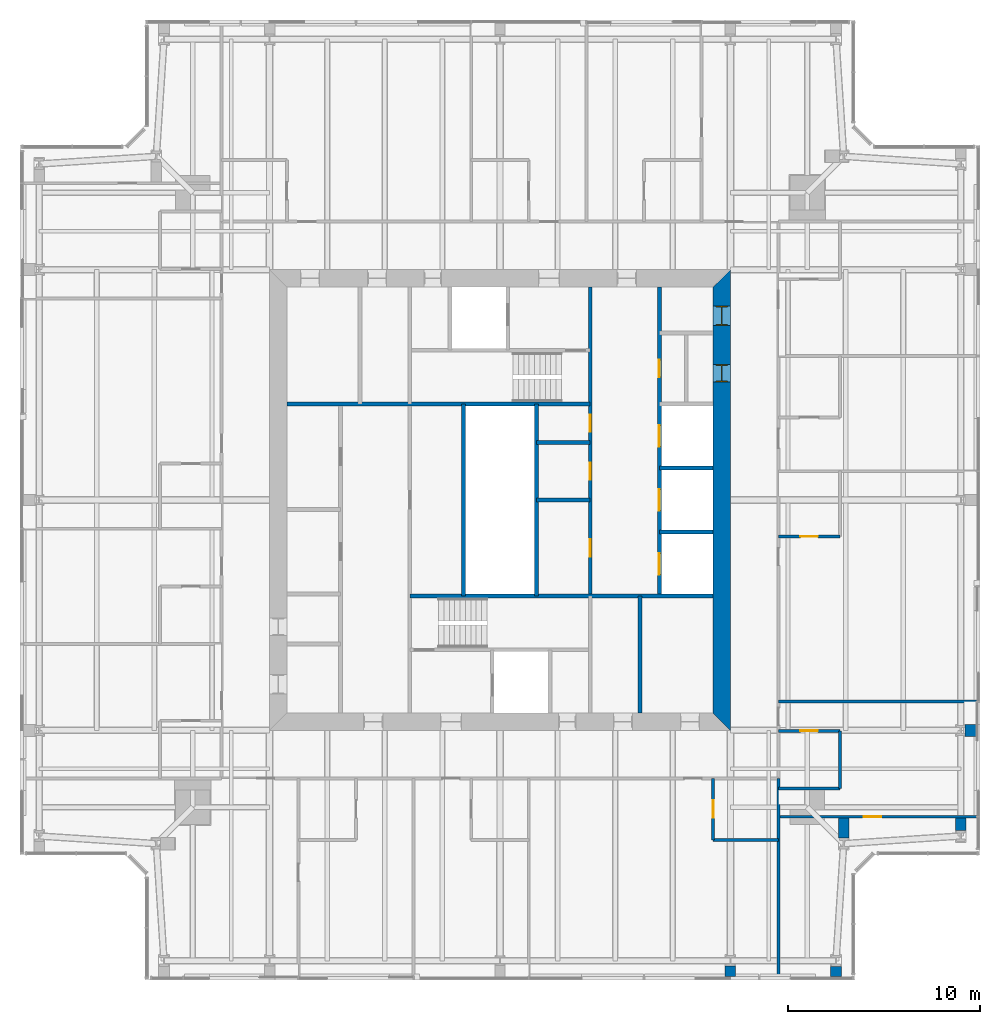
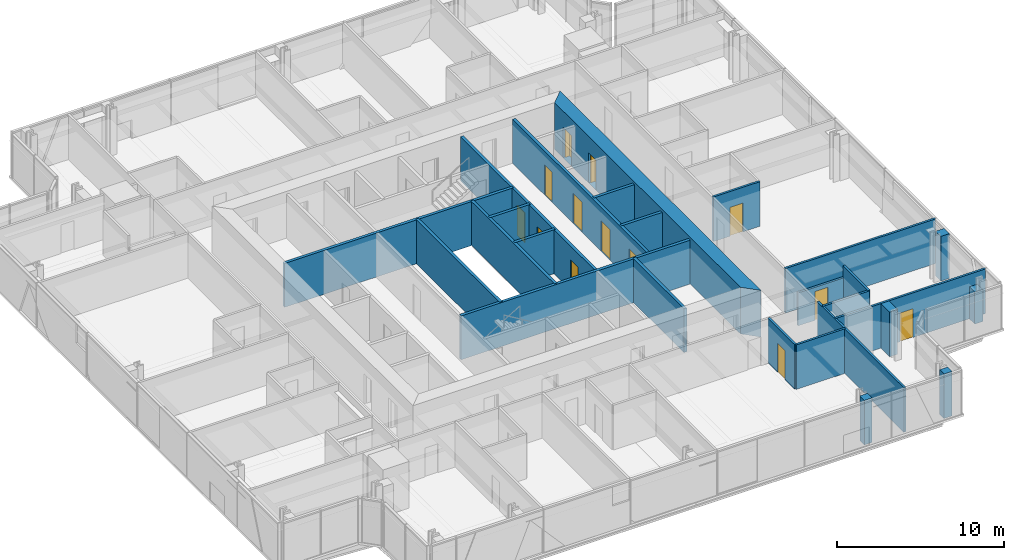
# One storey, part 13 of 18: 26 walls, 13 doors, 13 openings.
"""IFC4 building model written with IfcOpenShell, lengths in metres."""

from ifc_helpers import new_model, si_unit, direction, frame, frame_2d, origin, place, context, subcontext, project, spatial, polyline, rectangle, outline, extrude, material, layer, layer_set, type_object, element, fill, save


model = new_model("IFC4")

# Units and contexts
model_context = context("Model", 3, precision=1e-05, world=origin(), true_north=direction((0.0, 1.0)))
body_context = subcontext(model_context, "Body", "Model", "MODEL_VIEW")
ifc_project = project(units=[si_unit("LENGTHUNIT", "METRE"), si_unit("AREAUNIT", "SQUARE_METRE"), si_unit("VOLUMEUNIT", "CUBIC_METRE"), si_unit("PLANEANGLEUNIT", "RADIAN"), si_unit("MASSUNIT", "GRAM", prefix="KILO")], contexts=[model_context])

# Site, building, storey
site_placement = place(None, origin())
site = spatial("IfcSite", under=ifc_project, at=site_placement, CompositionType="ELEMENT")
building_placement = place(site_placement, origin())
building = spatial("IfcBuilding", under=site, at=building_placement, Name="Fenwick Lantern Interchange", CompositionType="ELEMENT")
storey_placement = place(building_placement, frame((0.0, 0.0, 290.0)))
storey = spatial("IfcBuildingStorey", under=building, at=storey_placement, Name="L70", CompositionType="ELEMENT", Elevation=290.0)

# Walls
ifc_material_1 = material(Name="Fire-rated gypsum board encasement on steel studs, 2 hour", Category="steel")
ifc_layer_1 = layer(ifc_material_1, 0.5419921875)
ifc_layer_set_1 = layer_set([ifc_layer_1], Name="COLUMN PIER 542")
wall_type_1 = type_object("IfcWallType", Name="COLUMN PIER 542", PredefinedType="PARTITIONING", material=ifc_layer_set_1)
wall_1_placement = place(storey_placement, frame((37.0, 0.18994140625, 0.0), z_axis=(0.0, 0.0, 1.0), x_axis=(0.0, 1.0, 0.0)))
element("IfcWall", 1, at=wall_1_placement, inside=storey, type_object=wall_type_1, Name="L70/W/PIER/CS4", PredefinedType="PARTITIONING", context=body_context, shape_type="SweptSolid", body=[
    extrude(rectangle(XDim=0.544677734375, YDim=0.5419921875, at=frame_2d((0.2724609375, 0.0))), origin(), (0.0, 0.0, 1.0), 3.25),
])
ifc_layer_2 = layer(ifc_material_1, 0.554931640625)
ifc_layer_set_2 = layer_set([ifc_layer_2], Name="COLUMN PIER 555")
wall_type_2 = type_object("IfcWallType", Name="COLUMN PIER 555", PredefinedType="PARTITIONING", material=ifc_layer_set_2)
wall_2_placement = place(storey_placement, frame((42.5, 0.18994140625, 0.0), z_axis=(0.0, 0.0, 1.0), x_axis=(0.0, 1.0, 0.0)))
element("IfcWall", 2, at=wall_2_placement, inside=storey, type_object=wall_type_2, Name="L70/W/PIER/CS5", PredefinedType="PARTITIONING", context=body_context, shape_type="SweptSolid", body=[
    extrude(rectangle(XDim=0.525634765625, YDim=0.554931640625, at=frame_2d((0.2626953125, 0.0))), origin(), (0.0, 0.0, 1.0), 3.25),
])
wall_3_placement = place(storey_placement, frame((42.89990234375, 8.425048828125, 0.0), z_axis=(0.0, 0.0, 1.0), x_axis=(0.0, -1.0, 0.0)))
element("IfcWall", 3, at=wall_3_placement, inside=storey, type_object=wall_type_2, Name="L70/W/PIER/CSR", PredefinedType="PARTITIONING", context=body_context, shape_type="SweptSolid", body=[
    extrude(rectangle(XDim=1.04052734375, YDim=0.554931640625, at=frame_2d((0.520263671875, 0.0))), origin(), (0.0, 0.0, 1.0), 3.25),
])
wall_4_placement = place(storey_placement, frame((49.0, 8.425048828125, 0.0), z_axis=(0.0, 0.0, 1.0), x_axis=(0.0, -1.0, 0.0)))
element("IfcWall", 4, at=wall_4_placement, inside=storey, type_object=wall_type_2, Name="L70/W/PIER/CE1", PredefinedType="PARTITIONING", context=body_context, shape_type="SweptSolid", body=[
    extrude(rectangle(XDim=0.640625, YDim=0.554931640625, at=frame_2d((0.3203125, 0.0))), origin(), (0.0, 0.0, 1.0), 2.338134765625),
])
ifc_layer_3 = layer(ifc_material_1, 0.631103515625)
ifc_layer_set_3 = layer_set([ifc_layer_3], Name="COLUMN PIER 631")
wall_type_3 = type_object("IfcWallType", Name="COLUMN PIER 631", PredefinedType="PARTITIONING", material=ifc_layer_set_3)
wall_5_placement = place(storey_placement, frame((49.81005859375, 13.0, 0.0), z_axis=(0.0, 0.0, 1.0), x_axis=(-1.0, 0.0, 0.0)))
element("IfcWall", 5, at=wall_5_placement, inside=storey, type_object=wall_type_3, Name="L70/W/PIER/CE2", PredefinedType="PARTITIONING", context=body_context, shape_type="SweptSolid", body=[
    extrude(rectangle(XDim=0.589111328125, YDim=0.631103515625, at=frame_2d((0.29443359375, 0.0))), origin(), (0.0, 0.0, 1.0), 3.25),
])
ifc_material_2 = material(Name="Concrete masonry ASTM C90 Grade N", Category="masonry")
ifc_layer_4 = layer(ifc_material_2, 0.199951171875)
ifc_layer_set_4 = layer_set([ifc_layer_4], Name="Concrete masonry ASTM C90 Grade N")
wall_type_4 = type_object("IfcWallType", Name="CORE PARTITION 200", PredefinedType="PARTITIONING", material=ifc_layer_set_4)
wall_6_placement = place(storey_placement, frame((23.10009765625, 20.0, 0.0), z_axis=(0.0, 0.0, 1.0), x_axis=(0.0, 1.0, 0.0)))
element("IfcWall", 6, at=wall_6_placement, inside=storey, type_object=wall_type_4, Name="L70/W/CORES/e3", PredefinedType="PARTITIONING", context=body_context, shape_type="SweptSolid", body=[
    extrude(rectangle(XDim=10.0, YDim=0.199951171875, at=frame_2d((5.0, 0.0))), origin(), (0.0, 0.0, 1.0), 3.199951171875),
])
wall_7_placement = place(storey_placement, frame((32.300048828125, 13.89990234375, 0.0), z_axis=(0.0, 0.0, 1.0), x_axis=(0.0, 1.0, 0.0)))
element("IfcWall", 7, at=wall_7_placement, inside=storey, type_object=wall_type_4, Name="L70/W/CORES/i2", PredefinedType="PARTITIONING", context=body_context, shape_type="SweptSolid", body=[
    extrude(rectangle(XDim=6.10009765625, YDim=0.199951171875, at=frame_2d((3.050048828125, 0.0))), origin(), (0.0, 0.0, 1.0), 3.199951171875),
])

# Wall, openings, doors
wall_8_placement = place(storey_placement, frame((33.300048828125, 36.10009765625, 0.0), z_axis=(0.0, 0.0, 1.0), x_axis=(0.0, -1.0, 0.0)))
wall_8 = element("IfcWall", 8, at=wall_8_placement, inside=storey, type_object=wall_type_4, Name="L70/W/COREN/a", PredefinedType="PARTITIONING", context=body_context, shape_type="SweptSolid", body=[
    extrude(rectangle(XDim=16.10009765625, YDim=0.199951171875, at=frame_2d((8.050048828125, 0.0))), origin(), (0.0, 0.0, 1.0), 3.199951171875),
])
opening_1_placement = place(wall_8_placement, frame((3.800048828125, 0.0, 0.0)))
opening_1 = element("IfcOpeningElement", 9, at=opening_1_placement, cuts=wall_8, Name="Opening L70-D019", PredefinedType="OPENING", context=body_context, shape_type="SweptSolid", body=[
    extrude(rectangle(XDim=0.89990234375, YDim=2.199951171875, at=frame_2d((0.449951171875, 1.10009765625))), frame((0.0, 0.10986328125, 0.0), z_axis=(0.0, -1.0, 0.0), x_axis=(1.0, 0.0, 0.0)), (0.0, 0.0, 1.0), 0.219970703125),
])
opening_2_placement = place(wall_8_placement, frame((7.216552734375, 0.0, 0.0)))
opening_2 = element("IfcOpeningElement", 10, at=opening_2_placement, cuts=wall_8, Name="Opening LD-E1-1", PredefinedType="OPENING", context=body_context, shape_type="SweptSolid", body=[
    extrude(rectangle(XDim=1.10009765625, YDim=2.199951171875, at=frame_2d((0.550048828125, 1.10009765625))), frame((0.0, 0.10986328125, 0.0), z_axis=(0.0, -1.0, 0.0), x_axis=(1.0, 0.0, 0.0)), (0.0, 0.0, 1.0), 0.219970703125),
])
opening_3_placement = place(wall_8_placement, frame((10.550048828125, 0.0, 0.0)))
opening_3 = element("IfcOpeningElement", 11, at=opening_3_placement, cuts=wall_8, Name="Opening LD-E1-2", PredefinedType="OPENING", context=body_context, shape_type="SweptSolid", body=[
    extrude(rectangle(XDim=1.10009765625, YDim=2.199951171875, at=frame_2d((0.550048828125, 1.10009765625))), frame((0.0, 0.10986328125, 0.0), z_axis=(0.0, -1.0, 0.0), x_axis=(1.0, 0.0, 0.0)), (0.0, 0.0, 1.0), 0.219970703125),
])
opening_4_placement = place(wall_8_placement, frame((13.88330078125, 0.0, 0.0)))
opening_4 = element("IfcOpeningElement", 12, at=opening_4_placement, cuts=wall_8, Name="Opening LD-E1-3", PredefinedType="OPENING", context=body_context, shape_type="SweptSolid", body=[
    extrude(rectangle(XDim=1.10009765625, YDim=2.199951171875, at=frame_2d((0.550048828125, 1.10009765625))), frame((0.0, 0.10986328125, 0.0), z_axis=(0.0, -1.0, 0.0), x_axis=(1.0, 0.0, 0.0)), (0.0, 0.0, 1.0), 0.219970703125),
])
ifc_material_3 = material(Name="Steel door and frame", Category="steel")
door_type_1 = type_object("IfcDoorType", Name="LIFT LANDING DOOR 1100 X 2200", OperationType="DOUBLE_DOOR_SLIDING", PredefinedType="DOOR", material=ifc_material_3)
door_1_placement = place(opening_2_placement, origin())
door_1 = element("IfcDoor", 13, at=door_1_placement, inside=storey, type_object=door_type_1, Name="Lift landing door E1-1", OperationType="DOUBLE_DOOR_SLIDING", OverallHeight=2.199951171875, OverallWidth=1.10009765625, PredefinedType="DOOR", context=body_context, shape_type="SweptSolid", body=[
    extrude(rectangle(XDim=1.10009765625, YDim=2.199951171875, at=frame_2d((0.550048828125, 1.10009765625))), frame((0.0, 0.02490234375, 0.0), z_axis=(0.0, -1.0, 0.0), x_axis=(1.0, 0.0, 0.0)), (0.0, 0.0, 1.0), 0.050048828125),
])
fill(opening_2, door_1)
door_2_placement = place(opening_3_placement, origin())
door_2 = element("IfcDoor", 14, at=door_2_placement, inside=storey, type_object=door_type_1, Name="Lift landing door E1-2", OperationType="DOUBLE_DOOR_SLIDING", OverallHeight=2.199951171875, OverallWidth=1.10009765625, PredefinedType="DOOR", context=body_context, shape_type="SweptSolid", body=[
    extrude(rectangle(XDim=1.10009765625, YDim=2.199951171875, at=frame_2d((0.550048828125, 1.10009765625))), frame((0.0, 0.02490234375, 0.0), z_axis=(0.0, -1.0, 0.0), x_axis=(1.0, 0.0, 0.0)), (0.0, 0.0, 1.0), 0.050048828125),
])
fill(opening_3, door_2)
door_3_placement = place(opening_4_placement, origin())
door_3 = element("IfcDoor", 15, at=door_3_placement, inside=storey, type_object=door_type_1, Name="Lift landing door E1-3", OperationType="DOUBLE_DOOR_SLIDING", OverallHeight=2.199951171875, OverallWidth=1.10009765625, PredefinedType="DOOR", context=body_context, shape_type="SweptSolid", body=[
    extrude(rectangle(XDim=1.10009765625, YDim=2.199951171875, at=frame_2d((0.550048828125, 1.10009765625))), frame((0.0, 0.02490234375, 0.0), z_axis=(0.0, -1.0, 0.0), x_axis=(1.0, 0.0, 0.0)), (0.0, 0.0, 1.0), 0.050048828125),
])
fill(opening_4, door_3)
door_type_2 = type_object("IfcDoorType", Name="SERVICE DOOR 900 X 2200", OperationType="SINGLE_SWING_LEFT", PredefinedType="DOOR", material=ifc_material_3)
door_4_placement = place(opening_1_placement, origin())
door_4 = element("IfcDoor", 16, at=door_4_placement, inside=storey, type_object=door_type_2, Name="Service door", OperationType="SINGLE_SWING_LEFT", OverallHeight=2.199951171875, OverallWidth=0.89990234375, PredefinedType="DOOR", context=body_context, shape_type="SweptSolid", body=[
    extrude(rectangle(XDim=0.89990234375, YDim=2.199951171875, at=frame_2d((0.449951171875, 1.10009765625))), frame((0.0, 0.02490234375, 0.0), z_axis=(0.0, -1.0, 0.0), x_axis=(1.0, 0.0, 0.0)), (0.0, 0.0, 1.0), 0.050048828125),
])
fill(opening_1, door_4)

# Walls
for number, where, z_axis, x_axis, name in (
    (17, (36.10009765625, 26.666748046875, 0.0), (0.0, 0.0, 1.0), (-1.0, 0.0, 0.0), "L70/W/COREN/d1"),
    (18, (36.10009765625, 23.333251953125, 0.0), (0.0, 0.0, 1.0), (-1.0, 0.0, 0.0), "L70/W/COREN/d2"),
):
    element("IfcWall", number, at=place(storey_placement, frame(where, z_axis=z_axis, x_axis=x_axis)), inside=storey, type_object=wall_type_4, Name=name, PredefinedType="PARTITIONING", context=body_context, shape_type="SweptSolid", body=[
        extrude(rectangle(XDim=2.800048828125, YDim=0.199951171875, at=frame_2d((1.39990234375, 0.0))), origin(), (0.0, 0.0, 1.0), 3.199951171875),
    ])
wall_9_placement = place(storey_placement, frame((26.89990234375, 30.0, 0.0), z_axis=(0.0, 0.0, 1.0), x_axis=(0.0, -1.0, 0.0)))
element("IfcWall", 19, at=wall_9_placement, inside=storey, type_object=wall_type_4, Name="L70/W/COREN/e3", PredefinedType="PARTITIONING", context=body_context, shape_type="SweptSolid", body=[
    extrude(rectangle(XDim=10.0, YDim=0.199951171875, at=frame_2d((5.0, 0.0))), origin(), (0.0, 0.0, 1.0), 3.199951171875),
])
for number, where, z_axis, x_axis, name in (
    (20, (29.699951171875, 28.0, 0.0), (0.0, 0.0, 1.0), (-1.0, 0.0, 0.0), "L70/W/COREN/q1"),
    (21, (29.699951171875, 25.0, 0.0), (0.0, 0.0, 1.0), (-1.0, 0.0, 0.0), "L70/W/COREN/q2"),
):
    element("IfcWall", number, at=place(storey_placement, frame(where, z_axis=z_axis, x_axis=x_axis)), inside=storey, type_object=wall_type_4, Name=name, PredefinedType="PARTITIONING", context=body_context, shape_type="SweptSolid", body=[
        extrude(rectangle(XDim=2.800048828125, YDim=0.199951171875, at=frame_2d((1.39990234375, 0.0))), origin(), (0.0, 0.0, 1.0), 3.199951171875),
    ])

# Wall, openings, doors
ifc_material_4 = material(Name="Concrete f'c 70 MPa", Category="concrete")
ifc_layer_5 = layer(ifc_material_4, 0.89990234375)
ifc_layer_set_5 = layer_set([ifc_layer_5], Name="CORE WALL 900")
wall_type_5 = type_object("IfcWallType", Name="CORE WALL 900", PredefinedType="SHEAR", material=ifc_layer_set_5)
wall_10_placement = place(storey_placement, frame((36.550048828125, 13.89990234375, 0.0), z_axis=(0.0, 0.0, 1.0), x_axis=(0.0, 1.0, 0.0)))
wall_10 = element("IfcWall", 22, at=wall_10_placement, inside=storey, type_object=wall_type_5, Name="L70/CORE/E", PredefinedType="SHEAR", context=body_context, shape_type="SweptSolid", body=[
    extrude(outline(polyline([(-0.89990234375, -0.449951171875), (23.10009765625, -0.449951171875), (22.199951171875, 0.449951171875), (0.0, 0.449951171875), (-0.89990234375, -0.449951171875)])), origin(), (0.0, 0.0, 1.0), 3.39990234375),
])
opening_5_placement = place(wall_10_placement, frame((20.199951171875, 0.0, 0.0)))
opening_5 = element("IfcOpeningElement", 23, at=opening_5_placement, cuts=wall_10, Name="Opening L70-D018", PredefinedType="OPENING", context=body_context, shape_type="SweptSolid", body=[
    extrude(rectangle(XDim=1.0, YDim=2.199951171875, at=frame_2d((0.5, 1.10009765625))), frame((0.0, 0.4599609375, 0.0), z_axis=(0.0, -1.0, 0.0), x_axis=(1.0, 0.0, 0.0)), (0.0, 0.0, 1.0), 0.919921875),
])
opening_6_placement = place(wall_10_placement, frame((17.25, 0.0, 0.0)))
opening_6 = element("IfcOpeningElement", 24, at=opening_6_placement, cuts=wall_10, Name="Opening L70-D020", PredefinedType="OPENING", context=body_context, shape_type="SweptSolid", body=[
    extrude(rectangle(XDim=0.89990234375, YDim=2.199951171875, at=frame_2d((0.449951171875, 1.10009765625))), frame((0.0, 0.4599609375, 0.0), z_axis=(0.0, -1.0, 0.0), x_axis=(1.0, 0.0, 0.0)), (0.0, 0.0, 1.0), 0.919921875),
])
door_type_3 = type_object("IfcDoorType", Name="SERVICE DOOR 1000 X 2200", OperationType="SINGLE_SWING_LEFT", PredefinedType="DOOR", material=ifc_material_3)
door_5_placement = place(opening_5_placement, origin())
door_5 = element("IfcDoor", 25, at=door_5_placement, inside=storey, type_object=door_type_3, Name="Service door", OperationType="SINGLE_SWING_LEFT", OverallHeight=2.199951171875, OverallWidth=1.0, PredefinedType="DOOR", context=body_context, shape_type="SweptSolid", body=[
    extrude(rectangle(XDim=1.0, YDim=2.199951171875, at=frame_2d((0.5, 1.10009765625))), frame((0.0, 0.02490234375, 0.0), z_axis=(0.0, -1.0, 0.0), x_axis=(1.0, 0.0, 0.0)), (0.0, 0.0, 1.0), 0.050048828125),
    extrude(outline(polyline([(0.0, 0.0), (0.0400390625, 0.0), (0.0400390625, 2.159912109375), (0.9599609375, 2.159912109375), (0.9599609375, 0.0), (1.0, 0.0), (1.0, 2.199951171875), (0.0, 2.199951171875), (0.0, 0.0)])), frame((0.0, 0.300048828125, 0.0), z_axis=(0.0, -1.0, 0.0), x_axis=(1.0, 0.0, 0.0)), (0.0, 0.0, 1.0), 0.60009765625),
])
fill(opening_5, door_5)
door_6_placement = place(opening_6_placement, origin())
door_6 = element("IfcDoor", 26, at=door_6_placement, inside=storey, type_object=door_type_2, Name="Service door", OperationType="SINGLE_SWING_LEFT", OverallHeight=2.199951171875, OverallWidth=0.89990234375, PredefinedType="DOOR", context=body_context, shape_type="SweptSolid", body=[
    extrude(rectangle(XDim=0.89990234375, YDim=2.199951171875, at=frame_2d((0.449951171875, 1.10009765625))), frame((0.0, 0.02490234375, 0.0), z_axis=(0.0, -1.0, 0.0), x_axis=(1.0, 0.0, 0.0)), (0.0, 0.0, 1.0), 0.050048828125),
    extrude(outline(polyline([(0.0, 0.0), (0.0400390625, 0.0), (0.0400390625, 2.159912109375), (0.85986328125, 2.159912109375), (0.85986328125, 0.0), (0.89990234375, 0.0), (0.89990234375, 2.199951171875), (0.0, 2.199951171875), (0.0, 0.0)])), frame((0.0, 0.300048828125, 0.0), z_axis=(0.0, -1.0, 0.0), x_axis=(1.0, 0.0, 0.0)), (0.0, 0.0, 1.0), 0.60009765625),
])
fill(opening_6, door_6)

# Wall
ifc_material_5 = material(Name="Gypsum board on steel studs, moisture resistant", Category="steel")
ifc_layer_6 = layer(ifc_material_5, 0.14990234375)
ifc_layer_set_6 = layer_set([ifc_layer_6], Name="EN-SUITE WALL 150")
wall_type_6 = type_object("IfcWallType", Name="EN-SUITE WALL 150", PredefinedType="PARTITIONING", material=ifc_layer_set_6)
wall_11_placement = place(storey_placement, frame((36.10009765625, 7.300048828125, 0.0), z_axis=(0.0, 0.0, 1.0), x_axis=(1.0, 0.0, 0.0)))
element("IfcWall", 27, at=wall_11_placement, inside=storey, type_object=wall_type_6, Name="L70/W/HOTEL/S/U3BW", PredefinedType="PARTITIONING", context=body_context, shape_type="SweptSolid", body=[
    extrude(rectangle(XDim=3.39990234375, YDim=0.14990234375, at=frame_2d((1.699951171875, 0.0))), origin(), (0.0, 0.0, 1.0), 3.25),
])

# Wall, opening, door
wall_12_placement = place(storey_placement, frame((36.10009765625, 7.300048828125, 0.0), z_axis=(0.0, 0.0, 1.0), x_axis=(0.0, 1.0, 0.0)))
wall_12 = element("IfcWall", 28, at=wall_12_placement, inside=storey, type_object=wall_type_6, Name="L70/W/HOTEL/S/U3BX", PredefinedType="PARTITIONING", context=body_context, shape_type="SweptSolid", body=[
    extrude(rectangle(XDim=3.199951171875, YDim=0.14990234375, at=frame_2d((1.60009765625, 0.0))), origin(), (0.0, 0.0, 1.0), 3.25),
])
opening_7_placement = place(wall_12_placement, frame((1.14990234375, 0.0, 0.0)))
opening_7 = element("IfcOpeningElement", 29, at=opening_7_placement, cuts=wall_12, Name="Opening L70-D029", PredefinedType="OPENING", context=body_context, shape_type="SweptSolid", body=[
    extrude(rectangle(XDim=0.89990234375, YDim=2.10009765625, at=frame_2d((0.449951171875, 1.050048828125))), frame((0.0, 0.0849609375, 0.0), z_axis=(0.0, -1.0, 0.0), x_axis=(1.0, 0.0, 0.0)), (0.0, 0.0, 1.0), 0.169921875),
])
ifc_material_6 = material(Name="Hardwood door and steel frame", Category="steel")
door_type_4 = type_object("IfcDoorType", Name="EN-SUITE DOOR 900 X 2100", OperationType="SINGLE_SWING_LEFT", PredefinedType="DOOR", material=ifc_material_6)
door_7_placement = place(opening_7_placement, frame((0.89990234375, 0.0, 0.0), z_axis=(0.0, 0.0, 1.0), x_axis=(-1.0, 0.0, 0.0)))
door_7 = element("IfcDoor", 30, at=door_7_placement, inside=storey, type_object=door_type_4, Name="En-suite door", OperationType="SINGLE_SWING_RIGHT", OverallHeight=2.10009765625, OverallWidth=0.89990234375, PredefinedType="DOOR", context=body_context, shape_type="SweptSolid", body=[
    extrude(rectangle(XDim=0.89990234375, YDim=2.10009765625, at=frame_2d((0.449951171875, 1.050048828125))), frame((0.0, 0.02490234375, 0.0), z_axis=(0.0, -1.0, 0.0), x_axis=(1.0, 0.0, 0.0)), (0.0, 0.0, 1.0), 0.050048828125),
])
fill(opening_7, door_7)

# Wall
wall_13_placement = place(storey_placement, frame((42.699951171875, 9.97509765625, 0.0), z_axis=(0.0, 0.0, 1.0), x_axis=(0.0, 1.0, 0.0)))
element("IfcWall", 31, at=wall_13_placement, inside=storey, type_object=wall_type_6, Name="L70/W/HOTEL/E/U1BW", PredefinedType="PARTITIONING", context=body_context, shape_type="SweptSolid", body=[
    extrude(rectangle(XDim=3.0, YDim=0.14990234375, at=frame_2d((1.5, 0.0))), origin(), (0.0, 0.0, 1.0), 3.25),
])

# Wall, opening, door
wall_14_placement = place(storey_placement, frame((42.699951171875, 12.97509765625, 0.0), z_axis=(0.0, 0.0, 1.0), x_axis=(-1.0, 0.0, 0.0)))
wall_14 = element("IfcWall", 32, at=wall_14_placement, inside=storey, type_object=wall_type_6, Name="L70/W/HOTEL/E/U1BX", PredefinedType="PARTITIONING", context=body_context, shape_type="SweptSolid", body=[
    extrude(rectangle(XDim=3.199951171875, YDim=0.14990234375, at=frame_2d((1.60009765625, 0.0))), origin(), (0.0, 0.0, 1.0), 2.404296875),
])
opening_8_placement = place(wall_14_placement, frame((1.14990234375, 0.0, 0.0)))
opening_8 = element("IfcOpeningElement", 33, at=opening_8_placement, cuts=wall_14, Name="Opening L70-D031", PredefinedType="OPENING", context=body_context, shape_type="SweptSolid", body=[
    extrude(rectangle(XDim=0.89990234375, YDim=2.10009765625, at=frame_2d((0.449951171875, 1.050048828125))), frame((0.0, 0.0849609375, 0.0), z_axis=(0.0, -1.0, 0.0), x_axis=(1.0, 0.0, 0.0)), (0.0, 0.0, 1.0), 0.169921875),
])
door_8_placement = place(opening_8_placement, origin())
door_8 = element("IfcDoor", 34, at=door_8_placement, inside=storey, type_object=door_type_4, Name="En-suite door", OperationType="SINGLE_SWING_LEFT", OverallHeight=2.10009765625, OverallWidth=0.89990234375, PredefinedType="DOOR", context=body_context, shape_type="SweptSolid", body=[
    extrude(rectangle(XDim=0.89990234375, YDim=2.10009765625, at=frame_2d((0.449951171875, 1.050048828125))), frame((0.0, 0.02490234375, 0.0), z_axis=(0.0, -1.0, 0.0), x_axis=(1.0, 0.0, 0.0)), (0.0, 0.0, 1.0), 0.050048828125),
])
fill(opening_8, door_8)

# Wall
wall_15_placement = place(storey_placement, frame((42.699951171875, 9.97509765625, 0.0), z_axis=(0.0, 0.0, 1.0), x_axis=(-1.0, 0.0, 0.0)))
element("IfcWall", 35, at=wall_15_placement, inside=storey, type_object=wall_type_6, Name="L70/W/HOTEL/E/U1BV", PredefinedType="PARTITIONING", context=body_context, shape_type="SweptSolid", body=[
    extrude(rectangle(XDim=3.199951171875, YDim=0.14990234375, at=frame_2d((1.60009765625, 0.0))), origin(), (0.0, 0.0, 1.0), 3.25),
])

# Wall, opening, door
wall_16_placement = place(storey_placement, frame((42.699951171875, 23.10009765625, 0.0), z_axis=(0.0, 0.0, 1.0), x_axis=(-1.0, 0.0, 0.0)))
wall_16 = element("IfcWall", 36, at=wall_16_placement, inside=storey, type_object=wall_type_6, Name="L70/W/HOTEL/E/U2BX", PredefinedType="PARTITIONING", context=body_context, shape_type="SweptSolid", body=[
    extrude(rectangle(XDim=3.199951171875, YDim=0.14990234375, at=frame_2d((1.60009765625, 0.0))), origin(), (0.0, 0.0, 1.0), 3.25),
])
opening_9_placement = place(wall_16_placement, frame((1.14990234375, 0.0, 0.0)))
opening_9 = element("IfcOpeningElement", 37, at=opening_9_placement, cuts=wall_16, Name="Opening L70-D034", PredefinedType="OPENING", context=body_context, shape_type="SweptSolid", body=[
    extrude(rectangle(XDim=0.89990234375, YDim=2.10009765625, at=frame_2d((0.449951171875, 1.050048828125))), frame((0.0, 0.0849609375, 0.0), z_axis=(0.0, -1.0, 0.0), x_axis=(1.0, 0.0, 0.0)), (0.0, 0.0, 1.0), 0.169921875),
])
door_9_placement = place(opening_9_placement, frame((0.89990234375, 0.0, 0.0), z_axis=(0.0, 0.0, 1.0), x_axis=(-1.0, 0.0, 0.0)))
door_9 = element("IfcDoor", 38, at=door_9_placement, inside=storey, type_object=door_type_4, Name="En-suite door", OperationType="SINGLE_SWING_RIGHT", OverallHeight=2.10009765625, OverallWidth=0.89990234375, PredefinedType="DOOR", context=body_context, shape_type="SweptSolid", body=[
    extrude(rectangle(XDim=0.89990234375, YDim=2.10009765625, at=frame_2d((0.449951171875, 1.050048828125))), frame((0.0, 0.02490234375, 0.0), z_axis=(0.0, -1.0, 0.0), x_axis=(1.0, 0.0, 0.0)), (0.0, 0.0, 1.0), 0.050048828125),
])
fill(opening_9, door_9)

# Walls
ifc_material_7 = material(Name="Gypsum board on steel studs, 1 hour acoustic", Category="steel")
ifc_layer_7 = layer(ifc_material_7, 0.14990234375)
ifc_layer_set_7 = layer_set([ifc_layer_7], Name="PARTY WALL 150")
wall_type_7 = type_object("IfcWallType", Name="PARTY WALL 150", PredefinedType="PARTITIONING", material=ifc_layer_set_7)
for number, where, z_axis, x_axis, name in (
    (39, (39.5, 0.14990234375, 0.0), (0.0, 0.0, 1.0), (0.0, 1.0, 0.0), "L70/W/HOTEL/E/SW3"),
    (40, (49.85009765625, 14.5, 0.0), (0.0, 0.0, 1.0), (-1.0, 0.0, 0.0), "L70/W/HOTEL/E/U2PW"),
):
    element("IfcWall", number, at=place(storey_placement, frame(where, z_axis=z_axis, x_axis=x_axis)), inside=storey, type_object=wall_type_7, Name=name, PredefinedType="PARTITIONING", context=body_context, shape_type="SweptSolid", body=[
        extrude(rectangle(XDim=10.35009765625, YDim=0.14990234375, at=frame_2d((5.175048828125, 0.0))), origin(), (0.0, 0.0, 1.0), 3.25),
    ])
ifc_material_8 = material(Name="Concrete f'c 45 MPa", Category="concrete")
ifc_layer_8 = layer(ifc_material_8, 0.199951171875)
ifc_layer_set_8 = layer_set([ifc_layer_8], Name="STAIR CORE WALL 200")
wall_type_8 = type_object("IfcWallType", Name="STAIR CORE WALL 200", PredefinedType="SOLIDWALL", material=ifc_layer_set_8)
wall_17_placement = place(storey_placement, frame((20.300048828125, 20.0, 0.0), z_axis=(0.0, 0.0, 1.0), x_axis=(1.0, 0.0, 0.0)))
element("IfcWall", 41, at=wall_17_placement, inside=storey, type_object=wall_type_8, Name="L70/W/CORES/g2", PredefinedType="SOLIDWALL", context=body_context, shape_type="SweptSolid", body=[
    extrude(rectangle(XDim=15.800048828125, YDim=0.199951171875, at=frame_2d((7.89990234375, 0.0))), origin(), (0.0, 0.0, 1.0), 3.199951171875),
])

# Wall, openings, doors
wall_18_placement = place(storey_placement, frame((29.699951171875, 36.10009765625, 0.0), z_axis=(0.0, 0.0, 1.0), x_axis=(0.0, -1.0, 0.0)))
wall_18 = element("IfcWall", 42, at=wall_18_placement, inside=storey, type_object=wall_type_8, Name="L70/W/COREN/b", PredefinedType="SOLIDWALL", context=body_context, shape_type="SweptSolid", body=[
    extrude(rectangle(XDim=16.10009765625, YDim=0.199951171875, at=frame_2d((8.050048828125, 0.0))), origin(), (0.0, 0.0, 1.0), 3.199951171875),
])
opening_10_placement = place(wall_18_placement, frame((6.64990234375, 0.0, 0.0)))
opening_10 = element("IfcOpeningElement", 43, at=opening_10_placement, cuts=wall_18, Name="Opening L70-D021", PredefinedType="OPENING", context=body_context, shape_type="SweptSolid", body=[
    extrude(rectangle(XDim=0.89990234375, YDim=2.199951171875, at=frame_2d((0.449951171875, 1.10009765625))), frame((0.0, 0.10986328125, 0.0), z_axis=(0.0, -1.0, 0.0), x_axis=(1.0, 0.0, 0.0)), (0.0, 0.0, 1.0), 0.219970703125),
])
opening_11_placement = place(wall_18_placement, frame((9.14990234375, 0.0, 0.0)))
opening_11 = element("IfcOpeningElement", 44, at=opening_11_placement, cuts=wall_18, Name="Opening L70-D022", PredefinedType="OPENING", context=body_context, shape_type="SweptSolid", body=[
    extrude(rectangle(XDim=0.89990234375, YDim=2.199951171875, at=frame_2d((0.449951171875, 1.10009765625))), frame((0.0, 0.10986328125, 0.0), z_axis=(0.0, -1.0, 0.0), x_axis=(1.0, 0.0, 0.0)), (0.0, 0.0, 1.0), 0.219970703125),
])
opening_12_placement = place(wall_18_placement, frame((13.14990234375, 0.0, 0.0)))
opening_12 = element("IfcOpeningElement", 45, at=opening_12_placement, cuts=wall_18, Name="Opening L70-D023", PredefinedType="OPENING", context=body_context, shape_type="SweptSolid", body=[
    extrude(rectangle(XDim=0.89990234375, YDim=2.199951171875, at=frame_2d((0.449951171875, 1.10009765625))), frame((0.0, 0.10986328125, 0.0), z_axis=(0.0, -1.0, 0.0), x_axis=(1.0, 0.0, 0.0)), (0.0, 0.0, 1.0), 0.219970703125),
])
door_10_placement = place(opening_10_placement, frame((0.89990234375, 0.0, 0.0), z_axis=(0.0, 0.0, 1.0), x_axis=(-1.0, 0.0, 0.0)))
door_10 = element("IfcDoor", 46, at=door_10_placement, inside=storey, type_object=door_type_2, Name="Service door", OperationType="SINGLE_SWING_RIGHT", OverallHeight=2.199951171875, OverallWidth=0.89990234375, PredefinedType="DOOR", context=body_context, shape_type="SweptSolid", body=[
    extrude(rectangle(XDim=0.89990234375, YDim=2.199951171875, at=frame_2d((0.449951171875, 1.10009765625))), frame((0.0, 0.02490234375, 0.0), z_axis=(0.0, -1.0, 0.0), x_axis=(1.0, 0.0, 0.0)), (0.0, 0.0, 1.0), 0.050048828125),
])
fill(opening_10, door_10)
door_11_placement = place(opening_11_placement, frame((0.89990234375, 0.0, 0.0), z_axis=(0.0, 0.0, 1.0), x_axis=(-1.0, 0.0, 0.0)))
door_11 = element("IfcDoor", 47, at=door_11_placement, inside=storey, type_object=door_type_2, Name="Service door", OperationType="SINGLE_SWING_RIGHT", OverallHeight=2.199951171875, OverallWidth=0.89990234375, PredefinedType="DOOR", context=body_context, shape_type="SweptSolid", body=[
    extrude(rectangle(XDim=0.89990234375, YDim=2.199951171875, at=frame_2d((0.449951171875, 1.10009765625))), frame((0.0, 0.02490234375, 0.0), z_axis=(0.0, -1.0, 0.0), x_axis=(1.0, 0.0, 0.0)), (0.0, 0.0, 1.0), 0.050048828125),
])
fill(opening_11, door_11)
door_12_placement = place(opening_12_placement, frame((0.89990234375, 0.0, 0.0), z_axis=(0.0, 0.0, 1.0), x_axis=(-1.0, 0.0, 0.0)))
door_12 = element("IfcDoor", 48, at=door_12_placement, inside=storey, type_object=door_type_2, Name="Service door", OperationType="SINGLE_SWING_RIGHT", OverallHeight=2.199951171875, OverallWidth=0.89990234375, PredefinedType="DOOR", context=body_context, shape_type="SweptSolid", body=[
    extrude(rectangle(XDim=0.89990234375, YDim=2.199951171875, at=frame_2d((0.449951171875, 1.10009765625))), frame((0.0, 0.02490234375, 0.0), z_axis=(0.0, -1.0, 0.0), x_axis=(1.0, 0.0, 0.0)), (0.0, 0.0, 1.0), 0.050048828125),
])
fill(opening_12, door_12)

# Wall
wall_19_placement = place(storey_placement, frame((29.699951171875, 30.0, 0.0), z_axis=(0.0, 0.0, 1.0), x_axis=(-1.0, 0.0, 0.0)))
element("IfcWall", 49, at=wall_19_placement, inside=storey, type_object=wall_type_8, Name="L70/W/COREN/g2", PredefinedType="SOLIDWALL", context=body_context, shape_type="SweptSolid", body=[
    extrude(rectangle(XDim=15.800048828125, YDim=0.199951171875, at=frame_2d((7.89990234375, 0.0))), origin(), (0.0, 0.0, 1.0), 3.199951171875),
])

# Wall, opening, door
ifc_material_9 = material(Name="Gypsum board on steel studs, acoustic", Category="steel")
ifc_layer_9 = layer(ifc_material_9, 0.14990234375)
ifc_layer_set_9 = layer_set([ifc_layer_9], Name="SUITE PARTITION 150")
wall_type_9 = type_object("IfcWallType", Name="SUITE PARTITION 150", PredefinedType="PARTITIONING", material=ifc_layer_set_9)
wall_20_placement = place(storey_placement, frame((49.85009765625, 8.5, 0.0), z_axis=(0.0, 0.0, 1.0), x_axis=(-1.0, 0.0, 0.0)))
wall_20 = element("IfcWall", 50, at=wall_20_placement, inside=storey, type_object=wall_type_9, Name="L70/W/HOTEL/E/U1P", PredefinedType="PARTITIONING", context=body_context, shape_type="SweptSolid", body=[
    extrude(rectangle(XDim=10.35009765625, YDim=0.14990234375, at=frame_2d((5.175048828125, 0.0))), origin(), (0.0, 0.0, 1.0), 3.25),
])
opening_13_placement = place(wall_20_placement, frame((5.0, 0.0, 0.0)))
opening_13 = element("IfcOpeningElement", 51, at=opening_13_placement, cuts=wall_20, Name="Opening L70-D032", PredefinedType="OPENING", context=body_context, shape_type="SweptSolid", body=[
    extrude(rectangle(XDim=0.89990234375, YDim=2.10009765625, at=frame_2d((0.449951171875, 1.050048828125))), frame((0.0, 0.0849609375, 0.0), z_axis=(0.0, -1.0, 0.0), x_axis=(1.0, 0.0, 0.0)), (0.0, 0.0, 1.0), 0.169921875),
])
door_type_5 = type_object("IfcDoorType", Name="SUITE INTERNAL DOOR 900 X 2100", OperationType="SINGLE_SWING_LEFT", PredefinedType="DOOR", material=ifc_material_6)
door_13_placement = place(opening_13_placement, origin())
door_13 = element("IfcDoor", 52, at=door_13_placement, inside=storey, type_object=door_type_5, Name="Suite internal door", OperationType="SINGLE_SWING_RIGHT", OverallHeight=2.10009765625, OverallWidth=0.89990234375, PredefinedType="DOOR", context=body_context, shape_type="SweptSolid", body=[
    extrude(rectangle(XDim=0.89990234375, YDim=2.10009765625, at=frame_2d((0.449951171875, 1.050048828125))), frame((0.0, 0.02490234375, 0.0), z_axis=(0.0, -1.0, 0.0), x_axis=(1.0, 0.0, 0.0)), (0.0, 0.0, 1.0), 0.050048828125),
])
fill(opening_13, door_13)

save(model, "model.ifc")
